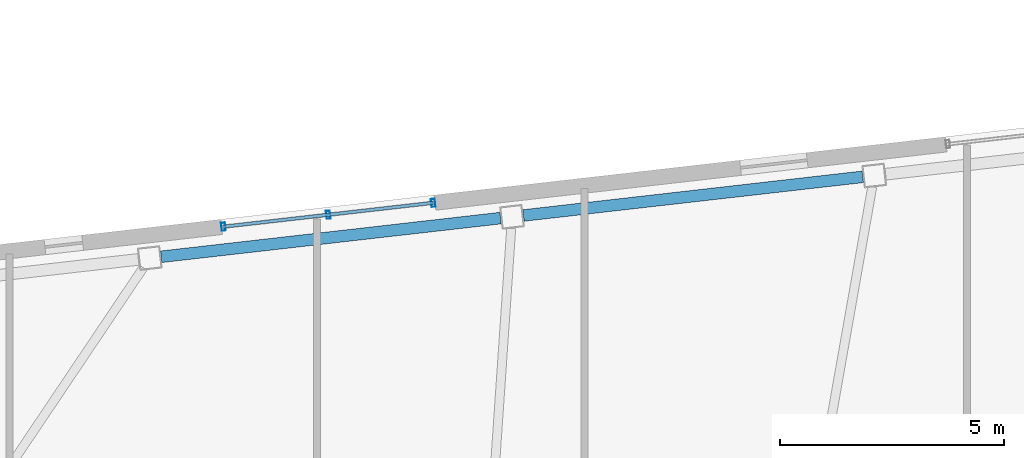
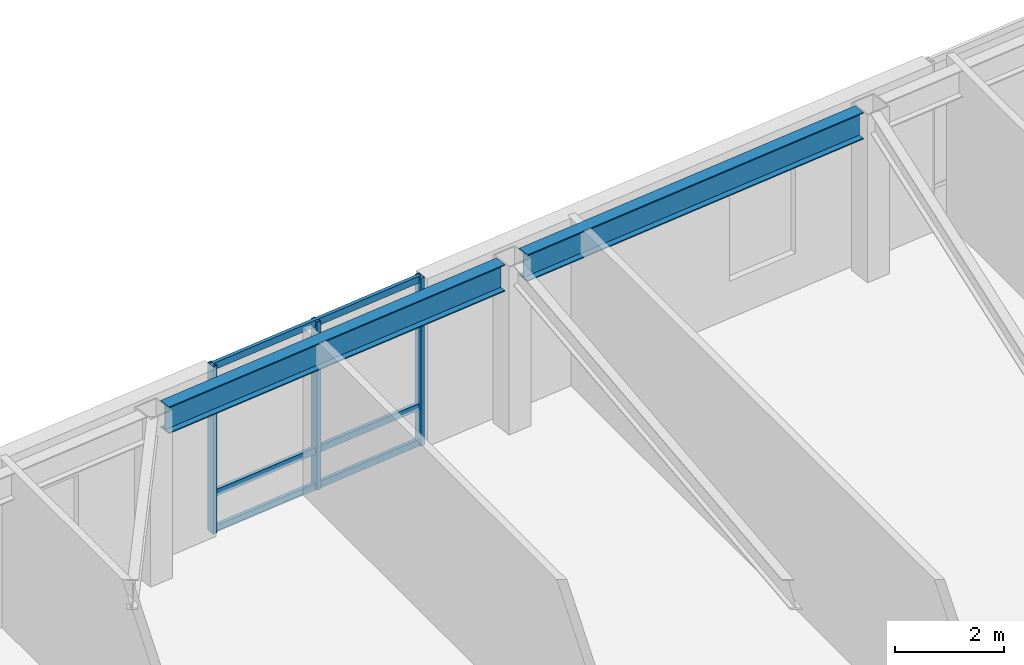
# One storey, part 8 of 19: 6 members, 2 beams, 1 element without a shape of its own.
"""IFC4 building model written with IfcOpenShell, lengths in metres."""

from ifc_helpers import new_model, si_unit, direction, frame, origin, origin_2d, place, context, subcontext, project, spatial, hollow_rectangle, i_section, extrude, material, layer, layer_set, material_profile, profile_set, type_object, element, aggregate, save


model = new_model("IFC4")

# Units and contexts
model_context = context("Model", 3, precision=1e-05, world=origin(), true_north=direction((0.0, 1.0)))
body_context = subcontext(model_context, "Body", "Model", "MODEL_VIEW")
ifc_project = project(units=[si_unit("LENGTHUNIT", "METRE"), si_unit("AREAUNIT", "SQUARE_METRE"), si_unit("VOLUMEUNIT", "CUBIC_METRE"), si_unit("PLANEANGLEUNIT", "RADIAN"), si_unit("MASSUNIT", "GRAM", prefix="KILO")], contexts=[model_context])

# Site, building, storey
site_placement = place(None, origin())
site = spatial("IfcSite", under=ifc_project, at=site_placement, CompositionType="ELEMENT")
building_placement = place(site_placement, origin())
building = spatial("IfcBuilding", under=site, at=building_placement, Name="Tavrogorsk Clinical Tower", CompositionType="ELEMENT")
storey_placement = place(building_placement, frame((0.0, 0.0, 263.0)))
storey = spatial("IfcBuildingStorey", under=building, at=storey_placement, Name="L61", CompositionType="ELEMENT", Elevation=263.0)

# Curtain wall, members
ifc_material_1 = material(Name="Anodised aluminium and triple IGU glazing", Category="aluminium")
ifc_layer = layer(ifc_material_1, 0.179931640625)
ifc_layer_set = layer_set([ifc_layer], Name="Anodised aluminium and triple IGU glazing")
curtain_wall_type = type_object("IfcCurtainWallType", Name="CW2_NorthSlot", PredefinedType="NOTDEFINED", material=ifc_layer_set)
curtain_wall_placement = place(storey_placement, origin())
curtain_wall = element("IfcCurtainWall", 1, at=curtain_wall_placement, inside=storey, type_object=curtain_wall_type, Name="L61 Curtain Wall CW-L61-N-SLOT-1", PredefinedType="NOTDEFINED")
ifc_material_2 = material(Name="Anodised aluminium alloy AW-6060", Category="aluminium")
ifc_material_profile_1 = material_profile(ifc_material_2, hollow_rectangle(XDim=0.090087890625, YDim=0.179931640625, WallThickness=0.00634765625, at=origin_2d()), Name="RHS-180x90x6.3")
ifc_profile_set_1 = profile_set([ifc_material_profile_1], Name="Anodised aluminium alloy AW-6060")
member_type_1 = type_object("IfcMemberType", Name="CwMullion_180x90", PredefinedType="MULLION", material=ifc_profile_set_1)
member_1_placement = place(storey_placement, frame((-10.781982421875, 25.42529296875, 0.0), z_axis=(0.0, 0.0, 1.0), x_axis=(-0.993571855603, -0.11320321441, 0.0)))
member_1 = element("IfcMember", 2, at=member_1_placement, type_object=member_type_1, Name="CW-L61-N-SLOT-1 Mullion 1", PredefinedType="MULLION", context=body_context, shape_type="SweptSolid", body=[
    extrude(hollow_rectangle(XDim=0.090087890625, YDim=0.179931640625, WallThickness=0.00634765625, at=origin_2d()), origin(), (0.0, 0.0, 1.0), 3.739990234375),
])
member_2_placement = place(storey_placement, frame((-13.1259765625, 25.158203125, 0.0), z_axis=(0.0, 0.0, 1.0), x_axis=(-0.993571855603, -0.11320321441, 0.0)))
member_2 = element("IfcMember", 3, at=member_2_placement, type_object=member_type_1, Name="CW-L61-N-SLOT-1 Mullion 2", PredefinedType="MULLION", context=body_context, shape_type="SweptSolid", body=[
    extrude(hollow_rectangle(XDim=0.090087890625, YDim=0.179931640625, WallThickness=0.00634765625, at=origin_2d()), origin(), (0.0, 0.0, 1.0), 3.739990234375),
])
member_3_placement = place(storey_placement, frame((-15.4697265625, 24.89111328125, 0.0), z_axis=(0.0, 0.0, 1.0), x_axis=(-0.993571855603, -0.11320321441, 0.0)))
member_3 = element("IfcMember", 4, at=member_3_placement, type_object=member_type_1, Name="CW-L61-N-SLOT-1 Mullion 3", PredefinedType="MULLION", context=body_context, shape_type="SweptSolid", body=[
    extrude(hollow_rectangle(XDim=0.090087890625, YDim=0.179931640625, WallThickness=0.00634765625, at=origin_2d()), origin(), (0.0, 0.0, 1.0), 3.739990234375),
])
ifc_material_3 = material(Name="Anodised aluminium alloy AW-6060", Category="aluminium")
ifc_material_profile_2 = material_profile(ifc_material_3, hollow_rectangle(XDim=0.074951171875, YDim=0.14990234375, WallThickness=0.0048828125, at=origin_2d()), Name="RHS-150x75x5")
ifc_profile_set_2 = profile_set([ifc_material_profile_2], Name="Anodised aluminium alloy AW-6060")
member_type_2 = type_object("IfcMemberType", Name="CwTransom_150x75", PredefinedType="USERDEFINED", material=ifc_profile_set_2)
member_4_placement = place(storey_placement, frame((-10.781982421875, 25.42529296875, 0.050048828125), z_axis=(-0.993569979218, -0.113219682023, 0.0), x_axis=(0.113219682023, -0.993569979218, 0.0)))
member_4 = element("IfcMember", 5, at=member_4_placement, type_object=member_type_2, Name="CW-L61-N-SLOT-1 Transom 1", ObjectType="TRANSOM", PredefinedType="USERDEFINED", context=body_context, shape_type="SweptSolid", body=[
    extrude(hollow_rectangle(XDim=0.074951171875, YDim=0.14990234375, WallThickness=0.0048828125, at=origin_2d()), origin(), (0.0, 0.0, 1.0), 4.718017578125),
])
member_5_placement = place(storey_placement, frame((-10.781982421875, 25.42529296875, 0.85009765625), z_axis=(-0.993569979218, -0.113219682023, 0.0), x_axis=(0.113219682023, -0.993569979218, 0.0)))
member_5 = element("IfcMember", 6, at=member_5_placement, type_object=member_type_2, Name="CW-L61-N-SLOT-1 Transom 2", ObjectType="TRANSOM", PredefinedType="USERDEFINED", context=body_context, shape_type="SweptSolid", body=[
    extrude(hollow_rectangle(XDim=0.074951171875, YDim=0.14990234375, WallThickness=0.0048828125, at=origin_2d()), origin(), (0.0, 0.0, 1.0), 4.718017578125),
])
member_6_placement = place(storey_placement, frame((-10.781982421875, 25.42529296875, 3.68994140625), z_axis=(-0.993569979218, -0.113219682023, 0.0), x_axis=(0.113219682023, -0.993569979218, 0.0)))
member_6 = element("IfcMember", 7, at=member_6_placement, type_object=member_type_2, Name="CW-L61-N-SLOT-1 Transom 3", ObjectType="TRANSOM", PredefinedType="USERDEFINED", context=body_context, shape_type="SweptSolid", body=[
    extrude(hollow_rectangle(XDim=0.074951171875, YDim=0.14990234375, WallThickness=0.0048828125, at=origin_2d()), origin(), (0.0, 0.0, 1.0), 4.718017578125),
])
aggregate(curtain_wall, [member_1, member_2, member_3, member_4, member_5, member_6])

# Beams
ifc_material_4 = material(Name="Structural steel S390", Category="steel")
ifc_material_profile_3 = material_profile(ifc_material_4, i_section(OverallWidth=0.260009765625, OverallDepth=0.60009765625, WebThickness=0.014892578125, FlangeThickness=0.02392578125, at=origin_2d()), Name="B-600x260x15x24")
ifc_profile_set_3 = profile_set([ifc_material_profile_3], Name="Structural steel S390")
beam_type = type_object("IfcBeamType", Name="SpandrelBeam_B600", PredefinedType="SPANDREL", material=ifc_profile_set_3)
for number, where, z_axis, x_axis, name in (
    (8, (-1.18017578125, 26.006103515625, 3.43994140625), (-0.993568501687, -0.113232647478, 0.0), (0.113232647478, -0.993568501687, 0.0), "L61 Perimeter Spandrel N4-N5"),
    (9, (-9.2763671875, 25.08349609375, 3.43994140625), (-0.993572099834, -0.113201070804, 0.0), (0.113201070804, -0.993572099834, 0.0), "L61 Perimeter Spandrel N5-N6"),
):
    element("IfcBeam", number, at=place(storey_placement, frame(where, z_axis=z_axis, x_axis=x_axis)), inside=storey, type_object=beam_type, Name=name, PredefinedType="SPANDREL", context=body_context, shape_type="SweptSolid", body=[
        extrude(i_section(OverallWidth=0.260009765625, OverallDepth=0.60009765625, WebThickness=0.014892578125, FlangeThickness=0.02392578125, at=origin_2d()), origin(), (0.0, 0.0, 1.0), 7.632568359375),
    ])

save(model, "model.ifc")
